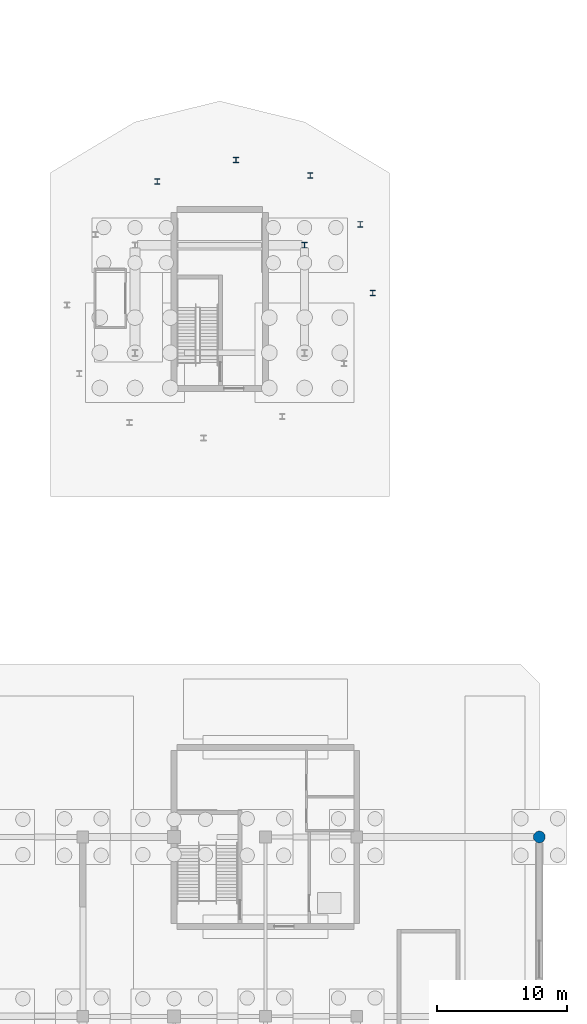
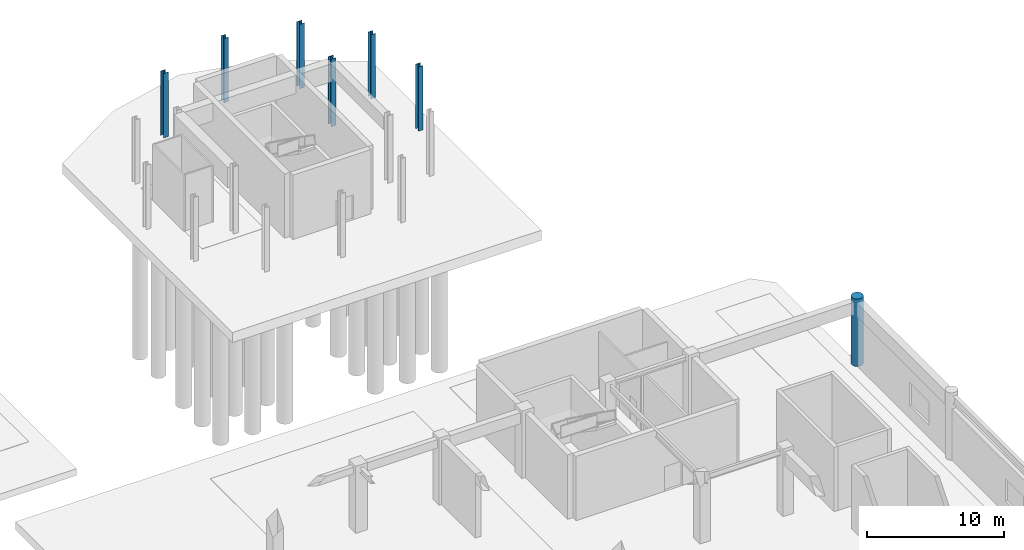
# One storey, part 28 of 62: 7 columns.
"""IFC4 building model written with IfcOpenShell, lengths in metres."""

from ifc_helpers import new_model, si_unit, direction, frame, origin, origin_2d, place, context, subcontext, project, spatial, circle, i_section, extrude, material, material_profile, profile_set, type_object, element, save


model = new_model("IFC4")

# Units and contexts
model_context = context("Model", 3, precision=1e-05, world=origin(), true_north=direction((0.0, 1.0)))
body_context = subcontext(model_context, "Body", "Model", "MODEL_VIEW")
ifc_project = project(units=[si_unit("LENGTHUNIT", "METRE"), si_unit("AREAUNIT", "SQUARE_METRE"), si_unit("VOLUMEUNIT", "CUBIC_METRE"), si_unit("PLANEANGLEUNIT", "RADIAN"), si_unit("MASSUNIT", "GRAM", prefix="KILO")], contexts=[model_context])

# Site, building, storey
site_placement = place(None, origin())
site = spatial("IfcSite", under=ifc_project, at=site_placement, CompositionType="ELEMENT")
building_placement = place(site_placement, origin())
building = spatial("IfcBuilding", under=site, at=building_placement, Name="Linyun Crest Stadium", CompositionType="ELEMENT")
storey_placement = place(building_placement, frame((0.0, 0.0, -6.0)))
storey = spatial("IfcBuildingStorey", under=building, at=storey_placement, Name="B1", CompositionType="ELEMENT", Elevation=-6.0)

# Columns
ifc_material_1 = material(Name="Concrete C50", Category="concrete")
ifc_material_profile_1 = material_profile(ifc_material_1, circle(Radius=0.449951171875, at=origin_2d()), Name="RC D900")
ifc_profile_set_1 = profile_set([ifc_material_profile_1], Name="Concrete C50")
column_type_1 = type_object("IfcColumnType", Name="C08", PredefinedType="COLUMN", material=ifc_profile_set_1)
column_1_placement = place(storey_placement, frame((98.0, 43.375, 0.0), z_axis=(0.0, 0.0, 1.0), x_axis=(1.0, 0.0, 0.0)))
element("IfcColumn", 1, at=column_1_placement, inside=storey, type_object=column_type_1, Name="Column C08 B1 564", PredefinedType="COLUMN", context=body_context, shape_type="SweptSolid", body=[
    extrude(circle(Radius=0.449951171875, at=origin_2d()), origin(), (0.0, 0.0, 1.0), 5.998046875),
])
ifc_material_2 = material(Name="Steel Q355C", Category="steel")
ifc_material_profile_2 = material_profile(ifc_material_2, i_section(OverallWidth=0.406982421875, OverallDepth=0.427978515625, WebThickness=0.02001953125, FlangeThickness=0.034912109375, at=origin_2d()), Name="HW 428x407")
ifc_profile_set_2 = profile_set([ifc_material_profile_2], Name="Steel Q355C")
column_type_2 = type_object("IfcColumnType", Name="SC03", PredefinedType="COLUMN", material=ifc_profile_set_2)
column_2_placement = place(storey_placement, frame((80.0, 88.75, 0.0), z_axis=(0.0, 0.0, 1.0), x_axis=(1.0, 0.0, 0.0)))
element("IfcColumn", 2, at=column_2_placement, inside=storey, type_object=column_type_2, Name="Column SC03 B1 843", PredefinedType="COLUMN", context=body_context, shape_type="SweptSolid", body=[
    extrude(i_section(OverallWidth=0.406982421875, OverallDepth=0.427978515625, WebThickness=0.02001953125, FlangeThickness=0.034912109375, at=origin_2d()), origin(), (0.0, 0.0, 1.0), 5.998046875),
])
for number, where, z_axis, x_axis, name in (
    (3, (84.27197265625, 90.35302734375, 0.0), (0.0, 0.0, 1.0), (1.0, 0.0, 0.0), "Pod V-leg base column SC03 B1 994"),
    (4, (80.43408203125, 94.087890625, 0.0), (0.0, 0.0, 1.0), (1.0, 0.0, 0.0), "Pod V-leg base column SC03 B1 998"),
    (5, (74.739013671875, 95.2880859375, 0.0), (0.0, 0.0, 1.0), (1.0, 0.0, 0.0), "Pod V-leg base column SC03 B1 1002"),
    (6, (68.7109375, 93.631103515625, 0.0), (0.0, 0.0, 1.0), (1.0, 0.0, 0.0), "Pod V-leg base column SC03 B1 1006"),
    (7, (85.222900390625, 85.08203125, 0.0), (0.0, 0.0, 1.0), (1.0, 0.0, 0.0), "Pod V-leg base column SC03 B1 1038"),
):
    element("IfcColumn", number, at=place(storey_placement, frame(where, z_axis=z_axis, x_axis=x_axis)), inside=storey, type_object=column_type_2, Name=name, PredefinedType="COLUMN", context=body_context, shape_type="SweptSolid", body=[
        extrude(i_section(OverallWidth=0.406982421875, OverallDepth=0.427978515625, WebThickness=0.02001953125, FlangeThickness=0.034912109375, at=origin_2d()), origin(), (0.0, 0.0, 1.0), 5.718017578125),
    ])

save(model, "model.ifc")
